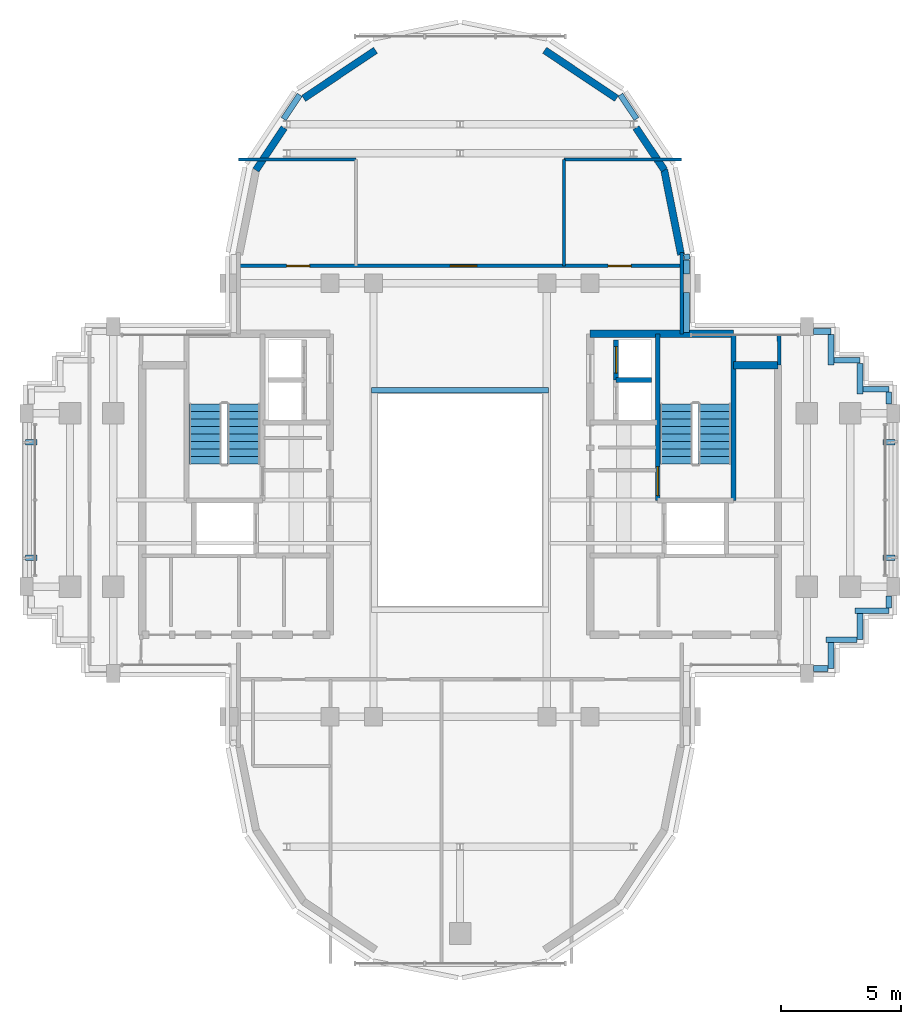
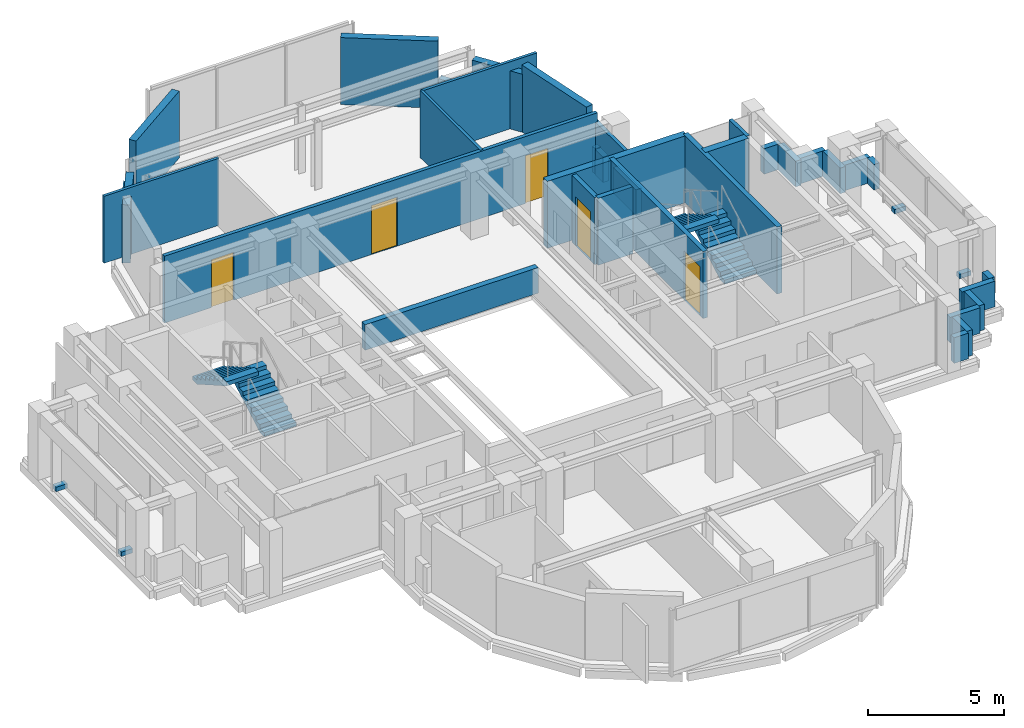
# One storey, part 10 of 12: 35 walls, 5 doors, 4 discrete accessories, 4 stair flights, 5 openings, 2 elements without a shape of their own.
"""IFC4 building model written with IfcOpenShell, lengths in metres."""

from ifc_helpers import new_model, si_unit, direction, frame, frame_2d, origin, origin_2d, place, context, subcontext, project, spatial, polyline, rectangle, outline, extrude, source, transform, mapped, material, layer, layer_set, type_object, element, fill, aggregate, save


model = new_model("IFC4")

# Units and contexts
model_context = context("Model", 3, precision=1e-05, world=origin(), true_north=direction((0.0, 1.0)))
body_context = subcontext(model_context, "Body", "Model", "MODEL_VIEW")
ifc_project = project(units=[si_unit("LENGTHUNIT", "METRE"), si_unit("AREAUNIT", "SQUARE_METRE"), si_unit("VOLUMEUNIT", "CUBIC_METRE"), si_unit("PLANEANGLEUNIT", "RADIAN"), si_unit("MASSUNIT", "GRAM", prefix="KILO")], contexts=[model_context])

# Site, building, storey
site_placement = place(None, origin())
site = spatial("IfcSite", under=ifc_project, at=site_placement, CompositionType="ELEMENT")
building_placement = place(site_placement, origin())
building = spatial("IfcBuilding", under=site, at=building_placement, Name="Keilestroom Media Tower", CompositionType="ELEMENT")
storey_placement = place(building_placement, frame((0.0, 0.0, 226.800048828125)))
storey = spatial("IfcBuildingStorey", under=building, at=storey_placement, Name="L62", CompositionType="ELEMENT", Elevation=226.800048828125)

# Walls
ifc_material_1 = material(Name="Precast concrete C40/50", Category="concrete")
ifc_layer_1 = layer(ifc_material_1, 0.300048828125)
ifc_layer_set_1 = layer_set([ifc_layer_1], Name="Precast concrete C40/50")
wall_type_1 = type_object("IfcWallType", Name="Exterior-Masonry-Spandrel-Wall-300", PredefinedType="SOLIDWALL", material=ifc_layer_set_1)
wall_1_placement = place(storey_placement, frame((9.1748046875, 10.185302734375, 0.0), z_axis=(0.0, 0.0, 1.0), x_axis=(-0.195114232679, 0.980780523974, 0.0)))
element("IfcWall", 1, at=wall_1_placement, inside=storey, type_object=wall_type_1, Name="L62 Lobe Facet Precast Frame Wall 01", PredefinedType="SOLIDWALL", context=body_context, shape_type="SweptSolid", body=[
    extrude(rectangle(XDim=3.608642578125, YDim=0.300048828125, at=frame_2d((1.80419921875, 0.0))), origin(), (0.0, 0.0, 1.0), 3.010009765625),
])
wall_2_placement = place(storey_placement, frame((8.48193359375, 13.697509765625, 0.0), z_axis=(0.0, 0.0, 1.0), x_axis=(-0.555604299396, 0.831446848868, 0.0)))
element("IfcWall", 2, at=wall_2_placement, inside=storey, type_object=wall_type_1, Name="L62 Lobe Facet Precast Frame Wall 02", PredefinedType="SOLIDWALL", context=body_context, shape_type="SweptSolid", body=[
    extrude(rectangle(XDim=2.117919921875, YDim=0.300048828125, at=frame_2d((1.05908203125, 0.0))), origin(), (0.0, 0.0, 1.0), 2.60986328125),
])
for number, where, z_axis, x_axis, name in (
    (3, (6.497802734375, 16.677001953125, 0.0), (0.0, 0.0, 1.0), (-0.831443568068, 0.555609208993, 0.0), "L62 Lobe Facet Precast Frame Wall 03"),
    (4, (-3.510009765625, 18.673583984375, 0.0), (0.0, 0.0, 1.0), (-0.831443568068, -0.555609208993, 0.0), "L62 Lobe Facet Precast Frame Wall 04"),
):
    element("IfcWall", number, at=place(storey_placement, frame(where, z_axis=z_axis, x_axis=x_axis)), inside=storey, type_object=wall_type_1, Name=name, PredefinedType="SOLIDWALL", context=body_context, shape_type="SweptSolid", body=[
        extrude(rectangle(XDim=3.593505859375, YDim=0.300048828125, at=frame_2d((1.796875, 0.0))), origin(), (0.0, 0.0, 1.0), 3.010009765625),
    ])
wall_3_placement = place(storey_placement, frame((-7.30517578125, 15.45849609375, 0.0), z_axis=(0.0, 0.0, 1.0), x_axis=(-0.555604299396, -0.831446848868, 0.0)))
element("IfcWall", 5, at=wall_3_placement, inside=storey, type_object=wall_type_1, Name="L62 Lobe Facet Precast Frame Wall 05", PredefinedType="SOLIDWALL", context=body_context, shape_type="SweptSolid", body=[
    extrude(rectangle(XDim=2.117919921875, YDim=0.300048828125, at=frame_2d((1.05908203125, 0.0))), origin(), (0.0, 0.0, 1.0), 2.60986328125),
])
ifc_material_2 = material(Name="Gypsum Plasterboard & Steel Stud", Category="steel")
ifc_layer_2 = layer(ifc_material_2, 0.1201171875)
ifc_layer_set_2 = layer_set([ifc_layer_2], Name="Gypsum Plasterboard & Steel Stud")
wall_type_2 = type_object("IfcWallType", Name="Interior-Partition-Wall-120", PredefinedType="PARTITIONING", material=ifc_layer_set_2)
for number, where, z_axis, x_axis, name in (
    (6, (-9.199951171875, 14.139892578125, 0.0), (0.0, 0.0, 1.0), (1.0, 0.0, 0.0), "L62 Interior Wall WP-L62-NL-HW"),
    (7, (4.320068359375, 14.139892578125, 0.0), (0.0, 0.0, 1.0), (1.0, 0.0, 0.0), "L62 Interior Wall WP-L62-NL-HE"),
):
    element("IfcWall", number, at=place(storey_placement, frame(where, z_axis=z_axis, x_axis=x_axis)), inside=storey, type_object=wall_type_2, Name=name, PredefinedType="PARTITIONING", context=body_context, shape_type="SweptSolid", body=[
        extrude(rectangle(XDim=4.8798828125, YDim=0.1201171875, at=frame_2d((2.43994140625, 0.0))), origin(), (0.0, 0.0, 1.0), 3.010009765625),
    ])
wall_4_placement = place(storey_placement, frame((4.320068359375, 9.719970703125, 0.0), z_axis=(0.0, 0.0, 1.0), x_axis=(0.0, 1.0, 0.0)))
element("IfcWall", 8, at=wall_4_placement, inside=storey, type_object=wall_type_2, Name="L62 Interior Wall WP-L62-NL-VE2", PredefinedType="PARTITIONING", context=body_context, shape_type="SweptSolid", body=[
    extrude(rectangle(XDim=4.419921875, YDim=0.1201171875, at=frame_2d((2.2099609375, 0.0))), origin(), (0.0, 0.0, 1.0), 3.010009765625),
])

# Wall, openings, doors
ifc_layer_3 = layer(ifc_material_2, 0.14990234375)
ifc_layer_set_3 = layer_set([ifc_layer_3], Name="Gypsum Plasterboard & Steel Stud")
wall_type_3 = type_object("IfcWallType", Name="Interior-Partition-Wall-150", PredefinedType="PARTITIONING", material=ifc_layer_set_3)
wall_5_placement = place(storey_placement, frame((-9.199951171875, 9.719970703125, 0.0), z_axis=(0.0, 0.0, 1.0), x_axis=(1.0, 0.0, 0.0)))
wall_5 = element("IfcWall", 9, at=wall_5_placement, inside=storey, type_object=wall_type_3, Name="L62 Interior Wall WP-L62-NL-BASE", PredefinedType="PARTITIONING", context=body_context, shape_type="SweptSolid", body=[
    extrude(rectangle(XDim=18.39990234375, YDim=0.14990234375, at=frame_2d((9.199951171875, 0.0))), origin(), (0.0, 0.0, 1.0), 3.010009765625),
])
opening_1_placement = place(wall_5_placement, frame((2.0, 0.0, 0.0)))
opening_1 = element("IfcOpeningElement", 10, at=opening_1_placement, cuts=wall_5, Name="Opening DI-03", PredefinedType="OPENING", context=body_context, shape_type="SweptSolid", body=[
    extrude(rectangle(XDim=0.949951171875, YDim=2.14990234375, at=frame_2d((0.47509765625, 1.074951171875))), frame((0.0, 0.0849609375, 0.0), z_axis=(0.0, -1.0, 0.0), x_axis=(1.0, 0.0, 0.0)), (0.0, 0.0, 1.0), 0.169921875),
])
opening_2_placement = place(wall_5_placement, frame((15.35009765625, 0.0, 0.0)))
opening_2 = element("IfcOpeningElement", 11, at=opening_2_placement, cuts=wall_5, Name="Opening DI-03", PredefinedType="OPENING", context=body_context, shape_type="SweptSolid", body=[
    extrude(rectangle(XDim=0.949951171875, YDim=2.14990234375, at=frame_2d((0.47509765625, 1.074951171875))), frame((0.0, 0.0849609375, 0.0), z_axis=(0.0, -1.0, 0.0), x_axis=(1.0, 0.0, 0.0)), (0.0, 0.0, 1.0), 0.169921875),
])
opening_3_placement = place(wall_5_placement, frame((8.800048828125, 0.0, 0.0)))
opening_3 = element("IfcOpeningElement", 12, at=opening_3_placement, cuts=wall_5, Name="Opening DI-04", PredefinedType="OPENING", context=body_context, shape_type="SweptSolid", body=[
    extrude(rectangle(XDim=1.10009765625, YDim=2.199951171875, at=frame_2d((0.550048828125, 1.10009765625))), frame((0.0, 0.0849609375, 0.0), z_axis=(0.0, -1.0, 0.0), x_axis=(1.0, 0.0, 0.0)), (0.0, 0.0, 1.0), 0.169921875),
])
ifc_material_3 = material(Name="Lacquered European Oak Leaf", Category="wood")
door_type_1 = type_object("IfcDoorType", Name="Interior-Room-And-Suite-Door-DI-03", OperationType="NOTDEFINED", PredefinedType="DOOR", material=ifc_material_3)
shared_shape_1 = source(origin(), body_context, "Body", "SweptSolid", [
    extrude(rectangle(XDim=0.949951171875, YDim=2.14990234375, at=frame_2d((0.47509765625, 1.074951171875))), frame((0.0, 0.02490234375, 0.0), z_axis=(0.0, -1.0, 0.0), x_axis=(1.0, 0.0, 0.0)), (0.0, 0.0, 1.0), 0.050048828125),
])
door_1_placement = place(opening_1_placement, origin())
door_1 = element("IfcDoor", 13, at=door_1_placement, inside=storey, type_object=door_type_1, Name="L62 Interior Door DI-L62-DNL-FRW", OperationType="SINGLE_SWING_LEFT", OverallHeight=2.14990234375, OverallWidth=0.949951171875, PredefinedType="DOOR", context=body_context, shape_type="MappedRepresentation", body=[
    mapped(shared_shape_1, transform((0.0, 0.0, 0.0), x_axis=(1.0, 0.0, 0.0), y_axis=(0.0, 1.0, 0.0), z_axis=(0.0, 0.0, 1.0), scale=1.0)),
])
fill(opening_1, door_1)
door_2_placement = place(opening_2_placement, origin())
door_2 = element("IfcDoor", 14, at=door_2_placement, inside=storey, type_object=door_type_1, Name="L62 Interior Door DI-L62-DNL-FRE", OperationType="SINGLE_SWING_RIGHT", OverallHeight=2.14990234375, OverallWidth=0.949951171875, PredefinedType="DOOR", context=body_context, shape_type="MappedRepresentation", body=[
    mapped(shared_shape_1, transform((0.0, 0.0, 0.0), x_axis=(1.0, 0.0, 0.0), y_axis=(0.0, 1.0, 0.0), z_axis=(0.0, 0.0, 1.0), scale=1.0)),
])
fill(opening_2, door_2)
ifc_material_4 = material(Name="Acoustic Glazed Aluminium Leaf", Category="aluminium")
door_type_2 = type_object("IfcDoorType", Name="Interior-Room-And-Suite-Door-DI-04", OperationType="NOTDEFINED", PredefinedType="DOOR", material=ifc_material_4)
shared_shape_2 = source(origin(), body_context, "Body", "SweptSolid", [
    extrude(rectangle(XDim=1.10009765625, YDim=2.199951171875, at=frame_2d((0.550048828125, 1.10009765625))), frame((0.0, 0.02490234375, 0.0), z_axis=(0.0, -1.0, 0.0), x_axis=(1.0, 0.0, 0.0)), (0.0, 0.0, 1.0), 0.050048828125),
])
door_3_placement = place(opening_3_placement, origin())
door_3 = element("IfcDoor", 15, at=door_3_placement, inside=storey, type_object=door_type_2, Name="L62 Interior Door DI-L62-DNL-REAR", OperationType="SINGLE_SWING_LEFT", OverallHeight=2.199951171875, OverallWidth=1.10009765625, PredefinedType="DOOR", context=body_context, shape_type="MappedRepresentation", body=[
    mapped(shared_shape_2, transform((0.0, 0.0, 0.0), x_axis=(1.0, 0.0, 0.0), y_axis=(0.0, 1.0, 0.0), z_axis=(0.0, 0.0, 1.0), scale=1.0)),
])
fill(opening_3, door_3)

# Walls
wall_6_placement = place(storey_placement, frame((9.199951171875, 6.89990234375, 0.0), z_axis=(0.0, 0.0, 1.0), x_axis=(0.0, 1.0, 0.0)))
element("IfcWall", 16, at=wall_6_placement, inside=storey, type_object=wall_type_3, Name="L62 Interior Wall WP-L62-NL-CHKE", PredefinedType="PARTITIONING", context=body_context, shape_type="SweptSolid", body=[
    extrude(rectangle(XDim=3.380126953125, YDim=0.14990234375, at=frame_2d((1.68994140625, 0.0))), origin(), (0.0, 0.0, 1.0), 2.60986328125),
])
wall_7_placement = place(storey_placement, frame((13.260009765625, 5.60009765625, 0.0), z_axis=(0.0, 0.0, 1.0), x_axis=(-0.016013571389, 0.999871774545, 0.0)))
element("IfcWall", 17, at=wall_7_placement, inside=storey, type_object=wall_type_3, Name="L62 Interior Wall WP-L62-EA-ENTN", PredefinedType="PARTITIONING", context=body_context, shape_type="SweptSolid", body=[
    extrude(rectangle(XDim=1.250244140625, YDim=0.14990234375, at=frame_2d((0.625, 0.0))), origin(), (0.0, 0.0, 1.0), 3.010009765625),
])
ifc_material_5 = material(Name="Concrete C50/60", Category="concrete")
ifc_layer_4 = layer(ifc_material_5, 0.300048828125)
ifc_layer_set_4 = layer_set([ifc_layer_4], Name="Concrete C50/60")
wall_type_4 = type_object("IfcWallType", Name="Reinforced-Concrete-Core-Shear-Wall-300", PredefinedType="SHEAR", material=ifc_layer_set_4)
wall_8_placement = place(storey_placement, frame((5.39990234375, 6.89990234375, 0.0), z_axis=(0.0, 0.0, 1.0), x_axis=(1.0, 0.0, 0.0)))
element("IfcWall", 18, at=wall_8_placement, inside=storey, type_object=wall_type_4, Name="L62 Core Shear Wall WL-L62-CORE-E-N", PredefinedType="SHEAR", context=body_context, shape_type="SweptSolid", body=[
    extrude(rectangle(XDim=5.9560546875, YDim=0.300048828125, at=frame_2d((2.97802734375, 0.0))), origin(), (0.0, 0.0, 1.0), 3.010009765625),
])
wall_9_placement = place(storey_placement, frame((11.35595703125, 5.60009765625, 0.0), z_axis=(0.0, 0.0, 1.0), x_axis=(1.0, 0.0, 0.0)))
element("IfcWall", 19, at=wall_9_placement, inside=storey, type_object=wall_type_4, Name="L62 Core Shear Wall WL-L62-CNE-N", PredefinedType="SHEAR", context=body_context, shape_type="SweptSolid", body=[
    extrude(rectangle(XDim=1.843994140625, YDim=0.300048828125, at=frame_2d((0.921875, 0.0))), origin(), (0.0, 0.0, 1.0), 3.010009765625),
])

# Wall, opening, door
ifc_layer_5 = layer(ifc_material_5, 0.199951171875)
ifc_layer_set_5 = layer_set([ifc_layer_5], Name="Concrete C50/60")
wall_type_5 = type_object("IfcWallType", Name="Reinforced-Concrete-Shaft-Wall-200", PredefinedType="SOLIDWALL", material=ifc_layer_set_5)
wall_10_placement = place(storey_placement, frame((8.2041015625, -0.01611328125, 0.0), z_axis=(0.0, 0.0, 1.0), x_axis=(0.0, 1.0, 0.0)))
wall_10 = element("IfcWall", 20, at=wall_10_placement, inside=storey, type_object=wall_type_5, Name="L62 Core Shear Wall WL-L62-STW-E-NEAR", PredefinedType="SOLIDWALL", context=body_context, shape_type="SweptSolid", body=[
    extrude(rectangle(XDim=6.916015625, YDim=0.199951171875, at=frame_2d((3.4580078125, 0.0))), origin(), (0.0, 0.0, 1.0), 3.010009765625),
])
opening_4_placement = place(wall_10_placement, frame((0.199951171875, 0.0, 0.0)))
opening_4 = element("IfcOpeningElement", 21, at=opening_4_placement, cuts=wall_10, Name="Opening DI-01S", PredefinedType="OPENING", context=body_context, shape_type="SweptSolid", body=[
    extrude(rectangle(XDim=1.199951171875, YDim=2.199951171875, at=frame_2d((0.60009765625, 1.10009765625))), frame((0.0, 0.10986328125, 0.0), z_axis=(0.0, -1.0, 0.0), x_axis=(1.0, 0.0, 0.0)), (0.0, 0.0, 1.0), 0.219970703125),
])
ifc_material_6 = material(Name="Powder-Coated Steel Fire Leaf", Category="steel")
door_type_3 = type_object("IfcDoorType", Name="Interior-Stair-And-Core-Fire-Door-DI-01", OperationType="NOTDEFINED", PredefinedType="DOOR", material=ifc_material_6)
shared_shape_3 = source(origin(), body_context, "Body", "SweptSolid", [
    extrude(rectangle(XDim=1.199951171875, YDim=2.199951171875, at=frame_2d((0.60009765625, 1.10009765625))), frame((0.0, 0.02490234375, 0.0), z_axis=(0.0, -1.0, 0.0), x_axis=(1.0, 0.0, 0.0)), (0.0, 0.0, 1.0), 0.050048828125),
])
door_4_placement = place(opening_4_placement, origin())
door_4 = element("IfcDoor", 22, at=door_4_placement, inside=storey, type_object=door_type_3, Name="L62 Escape Stair ST-2 Fire Door", OperationType="SINGLE_SWING_RIGHT", OverallHeight=2.199951171875, OverallWidth=1.199951171875, PredefinedType="DOOR", context=body_context, shape_type="MappedRepresentation", body=[
    mapped(shared_shape_3, transform((0.0, 0.0, 0.0), x_axis=(1.0, 0.0, 0.0), y_axis=(0.0, 1.0, 0.0), z_axis=(0.0, 0.0, 1.0), scale=1.0)),
])
fill(opening_4, door_4)

# Walls
wall_11_placement = place(storey_placement, frame((11.35595703125, -0.01611328125, 0.0), z_axis=(0.0, 0.0, 1.0), x_axis=(0.0, 1.0, 0.0)))
element("IfcWall", 23, at=wall_11_placement, inside=storey, type_object=wall_type_5, Name="L62 Core Shear Wall WL-L62-STW-E-FAR", PredefinedType="SOLIDWALL", context=body_context, shape_type="SweptSolid", body=[
    extrude(rectangle(XDim=6.916015625, YDim=0.199951171875, at=frame_2d((3.4580078125, 0.0))), origin(), (0.0, 0.0, 1.0), 3.010009765625),
])
wall_12_placement = place(storey_placement, frame((6.47998046875, 4.97998046875, 0.0), z_axis=(0.0, 0.0, 1.0), x_axis=(1.0, 0.0, 0.0)))
element("IfcWall", 24, at=wall_12_placement, inside=storey, type_object=wall_type_5, Name="L62 Core Shear Wall WL-L62-LSH-PL-H3-N", PredefinedType="SOLIDWALL", context=body_context, shape_type="SweptSolid", body=[
    extrude(rectangle(XDim=1.469970703125, YDim=0.199951171875, at=frame_2d((0.73486328125, 0.0))), origin(), (0.0, 0.0, 1.0), 3.010009765625),
])

# Wall, opening, door
wall_13_placement = place(storey_placement, frame((6.47998046875, 4.97998046875, 0.0), z_axis=(0.0, 0.0, 1.0), x_axis=(0.0, 1.0, 0.0)))
wall_13 = element("IfcWall", 25, at=wall_13_placement, inside=storey, type_object=wall_type_5, Name="L62 Core Shear Wall WL-L62-LSH-PL-H4-W", PredefinedType="SOLIDWALL", context=body_context, shape_type="SweptSolid", body=[
    extrude(rectangle(XDim=1.669921875, YDim=0.199951171875, at=frame_2d((0.8349609375, 0.0))), origin(), (0.0, 0.0, 1.0), 3.010009765625),
])
opening_5_placement = place(wall_13_placement, frame((0.284912109375, 0.0, 0.0)))
opening_5 = element("IfcOpeningElement", 26, at=opening_5_placement, cuts=wall_13, Name="Opening LD-01", PredefinedType="OPENING", context=body_context, shape_type="SweptSolid", body=[
    extrude(rectangle(XDim=1.10009765625, YDim=2.199951171875, at=frame_2d((0.550048828125, 1.10009765625))), frame((0.0, 0.10986328125, 0.0), z_axis=(0.0, -1.0, 0.0), x_axis=(1.0, 0.0, 0.0)), (0.0, 0.0, 1.0), 0.219970703125),
])
ifc_material_7 = material(Name="Brushed Stainless Steel Sliding Leaf", Category="steel")
door_type_4 = type_object("IfcDoorType", Name="Lift-Landing-Sliding-Door-LD-01", OperationType="SLIDING_TO_LEFT", PredefinedType="DOOR", material=ifc_material_7)
door_5_placement = place(opening_5_placement, origin())
door_5 = element("IfcDoor", 27, at=door_5_placement, inside=storey, type_object=door_type_4, Name="L62 Lift PL-H4 Landing Sliding Door", OperationType="SLIDING_TO_LEFT", OverallHeight=2.199951171875, OverallWidth=1.10009765625, PredefinedType="DOOR", context=body_context, shape_type="MappedRepresentation", body=[
    mapped(shared_shape_2, transform((0.0, 0.0, 0.0), x_axis=(1.0, 0.0, 0.0), y_axis=(0.0, 1.0, 0.0), z_axis=(0.0, 0.0, 1.0), scale=1.0)),
])
fill(opening_5, door_5)

# Walls
ifc_layer_6 = layer(ifc_material_1, 0.239990234375)
ifc_layer_set_6 = layer_set([ifc_layer_6], Name="Precast concrete C40/50")
wall_type_6 = type_object("IfcWallType", Name="Roof-And-Terrace-Parapet-Wall-240", PredefinedType="PARAPET", material=ifc_layer_set_6)
wall_14_placement = place(storey_placement, frame((17.800048828125, -4.60009765625, 0.0), z_axis=(0.0, 0.0, 1.0), x_axis=(-1.0, 0.0, 0.0)))
element("IfcWall", 28, at=wall_14_placement, inside=storey, type_object=wall_type_6, Name="L62 Perimeter Edge Parapet Wall 01", PredefinedType="PARAPET", context=body_context, shape_type="SweptSolid", body=[
    extrude(rectangle(XDim=1.400146484375, YDim=0.239990234375, at=frame_2d((0.7001953125, 0.0))), origin(), (0.0, 0.0, 1.0), 1.14990234375),
])
wall_15_placement = place(storey_placement, frame((16.60009765625, -4.722900390625, 0.0), z_axis=(0.0, 0.0, 1.0), x_axis=(0.0, -1.0, 0.0)))
element("IfcWall", 29, at=wall_15_placement, inside=storey, type_object=wall_type_6, Name="L62 Perimeter Edge Parapet Wall 02", PredefinedType="PARAPET", context=body_context, shape_type="SweptSolid", body=[
    extrude(rectangle(XDim=1.0771484375, YDim=0.239990234375, at=frame_2d((0.53857421875, 0.0))), origin(), (0.0, 0.0, 1.0), 1.14990234375),
])
wall_16_placement = place(storey_placement, frame((16.47705078125, -5.800048828125, 0.0), z_axis=(0.0, 0.0, 1.0), x_axis=(-1.0, 0.0, 0.0)))
element("IfcWall", 30, at=wall_16_placement, inside=storey, type_object=wall_type_6, Name="L62 Perimeter Edge Parapet Wall 03", PredefinedType="PARAPET", context=body_context, shape_type="SweptSolid", body=[
    extrude(rectangle(XDim=1.277099609375, YDim=0.239990234375, at=frame_2d((0.638671875, 0.0))), origin(), (0.0, 0.0, 1.0), 1.14990234375),
])
wall_17_placement = place(storey_placement, frame((15.39990234375, -5.923095703125, 0.0), z_axis=(0.0, 0.0, 1.0), x_axis=(0.0, -1.0, 0.0)))
element("IfcWall", 31, at=wall_17_placement, inside=storey, type_object=wall_type_6, Name="L62 Perimeter Edge Parapet Wall 04", PredefinedType="PARAPET", context=body_context, shape_type="SweptSolid", body=[
    extrude(rectangle(XDim=1.076904296875, YDim=0.239990234375, at=frame_2d((0.53857421875, 0.0))), origin(), (0.0, 0.0, 1.0), 1.14990234375),
])
wall_18_placement = place(storey_placement, frame((15.277099609375, -7.0, 0.0), z_axis=(0.0, 0.0, 1.0), x_axis=(-1.0, 0.0, 0.0)))
element("IfcWall", 32, at=wall_18_placement, inside=storey, type_object=wall_type_6, Name="L62 Perimeter Edge Parapet Wall 05", PredefinedType="PARAPET", context=body_context, shape_type="SweptSolid", body=[
    extrude(rectangle(XDim=0.59912109375, YDim=0.239990234375, at=frame_2d((0.299560546875, 0.0))), origin(), (0.0, 0.0, 1.0), 1.14990234375),
])
for number, where, z_axis, x_axis, name in (
    (33, (-7.328125, 15.8203125, 0.0), (0.0, 0.0, 1.0), (0.555585388542, 0.831459485506, 0.0), "L62 Perimeter Edge Parapet Wall 27"),
    (34, (6.656494140625, 16.825439453125, 0.0), (0.0, 0.0, 1.0), (0.555585388542, -0.831459485506, 0.0), "L62 Perimeter Edge Parapet Wall 28"),
):
    element("IfcWall", number, at=place(storey_placement, frame(where, z_axis=z_axis, x_axis=x_axis)), inside=storey, type_object=wall_type_6, Name=name, PredefinedType="PARAPET", context=body_context, shape_type="SweptSolid", body=[
        extrude(rectangle(XDim=1.208984375, YDim=0.239990234375, at=frame_2d((0.6044921875, 0.0))), origin(), (0.0, 0.0, 1.0), 1.14990234375),
    ])
wall_19_placement = place(storey_placement, frame((9.395263671875, 10.2041015625, 0.0), z_axis=(0.0, 0.0, 1.0), x_axis=(0.194859894132, -0.980831087221, 0.0)))
element("IfcWall", 35, at=wall_19_placement, inside=storey, type_object=wall_type_6, Name="L62 Perimeter Edge Parapet Wall 29", PredefinedType="PARAPET", context=body_context, shape_type="SweptSolid", body=[
    extrude(rectangle(XDim=0.224365234375, YDim=0.239990234375, at=frame_2d((0.1123046875, 0.0))), origin(), (0.0, 0.0, 1.0), 1.14990234375),
])
wall_20_placement = place(storey_placement, frame((9.39990234375, 9.957763671875, 0.0), z_axis=(0.0, 0.0, 1.0), x_axis=(0.0, -1.0, 0.0)))
element("IfcWall", 36, at=wall_20_placement, inside=storey, type_object=wall_type_6, Name="L62 Perimeter Edge Parapet Wall 30", PredefinedType="PARAPET", context=body_context, shape_type="SweptSolid", body=[
    extrude(rectangle(XDim=0.579833984375, YDim=0.239990234375, at=frame_2d((0.2900390625, 0.0))), origin(), (0.0, 0.0, 1.0), 1.14990234375),
])
wall_21_placement = place(storey_placement, frame((9.39990234375, 8.6220703125, 0.0), z_axis=(0.0, 0.0, 1.0), x_axis=(0.0, -1.0, 0.0)))
element("IfcWall", 37, at=wall_21_placement, inside=storey, type_object=wall_type_6, Name="L62 Perimeter Edge Parapet Wall 31", PredefinedType="PARAPET", context=body_context, shape_type="SweptSolid", body=[
    extrude(rectangle(XDim=1.669189453125, YDim=0.239990234375, at=frame_2d((0.83447265625, 0.0))), origin(), (0.0, 0.0, 1.0), 1.14990234375),
])
wall_22_placement = place(storey_placement, frame((14.677978515625, 7.0, 0.0), z_axis=(0.0, 0.0, 1.0), x_axis=(1.0, 0.0, 0.0)))
element("IfcWall", 38, at=wall_22_placement, inside=storey, type_object=wall_type_6, Name="L62 Perimeter Edge Parapet Wall 32", PredefinedType="PARAPET", context=body_context, shape_type="SweptSolid", body=[
    extrude(rectangle(XDim=0.721923828125, YDim=0.239990234375, at=frame_2d((0.36083984375, 0.0))), origin(), (0.0, 0.0, 1.0), 1.14990234375),
])
wall_23_placement = place(storey_placement, frame((15.39990234375, 6.876953125, 0.0), z_axis=(0.0, 0.0, 1.0), x_axis=(0.0, -1.0, 0.0)))
element("IfcWall", 39, at=wall_23_placement, inside=storey, type_object=wall_type_6, Name="L62 Perimeter Edge Parapet Wall 33", PredefinedType="PARAPET", context=body_context, shape_type="SweptSolid", body=[
    extrude(rectangle(XDim=1.27685546875, YDim=0.239990234375, at=frame_2d((0.638427734375, 0.0))), origin(), (0.0, 0.0, 1.0), 1.14990234375),
])
wall_24_placement = place(storey_placement, frame((15.52294921875, 5.800048828125, 0.0), z_axis=(0.0, 0.0, 1.0), x_axis=(1.0, 0.0, 0.0)))
element("IfcWall", 40, at=wall_24_placement, inside=storey, type_object=wall_type_6, Name="L62 Perimeter Edge Parapet Wall 34", PredefinedType="PARAPET", context=body_context, shape_type="SweptSolid", body=[
    extrude(rectangle(XDim=1.0771484375, YDim=0.239990234375, at=frame_2d((0.53857421875, 0.0))), origin(), (0.0, 0.0, 1.0), 1.14990234375),
])
wall_25_placement = place(storey_placement, frame((16.60009765625, 5.677001953125, 0.0), z_axis=(0.0, 0.0, 1.0), x_axis=(0.0, -1.0, 0.0)))
element("IfcWall", 41, at=wall_25_placement, inside=storey, type_object=wall_type_6, Name="L62 Perimeter Edge Parapet Wall 35", PredefinedType="PARAPET", context=body_context, shape_type="SweptSolid", body=[
    extrude(rectangle(XDim=1.277099609375, YDim=0.239990234375, at=frame_2d((0.638671875, 0.0))), origin(), (0.0, 0.0, 1.0), 1.14990234375),
])
wall_26_placement = place(storey_placement, frame((16.722900390625, 4.60009765625, 0.0), z_axis=(0.0, 0.0, 1.0), x_axis=(1.0, 0.0, 0.0)))
element("IfcWall", 42, at=wall_26_placement, inside=storey, type_object=wall_type_6, Name="L62 Perimeter Edge Parapet Wall 36", PredefinedType="PARAPET", context=body_context, shape_type="SweptSolid", body=[
    extrude(rectangle(XDim=1.0771484375, YDim=0.239990234375, at=frame_2d((0.53857421875, 0.0))), origin(), (0.0, 0.0, 1.0), 1.14990234375),
])
for number, where, z_axis, x_axis, name in (
    (43, (17.800048828125, 4.47705078125, 0.0), (0.0, 0.0, 1.0), (0.0, -1.0, 0.0), "L62 Perimeter Edge Parapet Wall 37"),
    (44, (17.800048828125, -3.97802734375, 0.0), (0.0, 0.0, 1.0), (0.0, -1.0, 0.0), "L62 Perimeter Edge Parapet Wall 38"),
):
    element("IfcWall", number, at=place(storey_placement, frame(where, z_axis=z_axis, x_axis=x_axis)), inside=storey, type_object=wall_type_6, Name=name, PredefinedType="PARAPET", context=body_context, shape_type="SweptSolid", body=[
        extrude(rectangle(XDim=0.4990234375, YDim=0.239990234375, at=frame_2d((0.24951171875, 0.0))), origin(), (0.0, 0.0, 1.0), 1.14990234375),
    ])
wall_27_placement = place(storey_placement, frame((-3.679931640625, 4.56005859375, 0.0), z_axis=(0.0, 0.0, 1.0), x_axis=(1.0, 0.0, 0.0)))
element("IfcWall", 45, at=wall_27_placement, inside=storey, type_object=wall_type_6, Name="L62 Central Atrium Guard Parapet N", PredefinedType="PARAPET", context=body_context, shape_type="SweptSolid", body=[
    extrude(rectangle(XDim=7.35986328125, YDim=0.239990234375, at=frame_2d((3.679931640625, 0.0))), origin(), (0.0, 0.0, 1.0), 1.14990234375),
])

# Stair, stair flights
ifc_material_8 = material(Name="Concrete C45/55", Category="concrete")
stair_type = type_object("IfcStairType", Name="Enclosed-Dog-Leg-Stair-ST-CORE", PredefinedType="HALF_TURN_STAIR", material=ifc_material_8)
stair_1_placement = place(storey_placement, origin())
stair_1 = element("IfcStair", 46, at=stair_1_placement, inside=storey, type_object=stair_type, Name="L62 West Core Escape Stair ST-1", PredefinedType="HALF_TURN_STAIR")
stair_flight_type = type_object("IfcStairFlightType", Name="Precast-Concrete-Stair-Flight-Core-160", PredefinedType="STRAIGHT", material=ifc_material_1)
stair_flight_1_placement = place(storey_placement, frame((-8.97998046875, 1.5, 0.0), z_axis=(0.0, 0.0, 1.0), x_axis=(0.0, 1.0, 0.0)))
stair_flight_1 = element("IfcStairFlight", 47, at=stair_flight_1_placement, type_object=stair_flight_type, Name="ST-1 flight 1", NumberOfRisers=9, NumberOfTreads=8, PredefinedType="STRAIGHT", RiserHeight=0.177777778, TreadLength=0.312, context=body_context, shape_type="SweptSolid", body=[
    extrude(outline(polyline([(0.0, 0.0), (0.0, 0.177734375), (0.31201171875, 0.177734375), (0.31201171875, 0.35546875), (0.6240234375, 0.35546875), (0.6240234375, 0.533447265625), (0.93603515625, 0.533447265625), (0.93603515625, 0.711181640625), (1.248046875, 0.711181640625), (1.248046875, 0.888916015625), (1.56005859375, 0.888916015625), (1.56005859375, 1.066650390625), (1.8720703125, 1.066650390625), (1.8720703125, 1.244384765625), (2.18408203125, 1.244384765625), (2.18408203125, 1.422119140625), (2.49609375, 1.422119140625), (2.49609375, 1.60009765625), (2.49609375, 1.23828125), (0.322998046875, 0.0), (0.0, 0.0)])), frame((0.0, 0.68017578125, 0.0), z_axis=(0.0, -1.0, 0.0), x_axis=(1.0, 0.0, 0.0)), (0.0, 0.0, 1.0), 1.360107421875),
])
stair_flight_2_placement = place(storey_placement, frame((-10.580078125, 3.99609375, 1.599853515625), z_axis=(0.0, 0.0, 1.0), x_axis=(0.0, -1.0, 0.0)))
stair_flight_2 = element("IfcStairFlight", 48, at=stair_flight_2_placement, type_object=stair_flight_type, Name="ST-1 flight 2", NumberOfRisers=9, NumberOfTreads=8, PredefinedType="STRAIGHT", RiserHeight=0.177777778, TreadLength=0.312, context=body_context, shape_type="SweptSolid", body=[
    extrude(outline(polyline([(0.0, 0.0), (0.0, 0.177734375), (0.31201171875, 0.177734375), (0.31201171875, 0.35546875), (0.6240234375, 0.35546875), (0.6240234375, 0.533447265625), (0.93603515625, 0.533447265625), (0.93603515625, 0.711181640625), (1.248046875, 0.711181640625), (1.248046875, 0.888916015625), (1.56005859375, 0.888916015625), (1.56005859375, 1.066650390625), (1.8720703125, 1.066650390625), (1.8720703125, 1.244384765625), (2.18408203125, 1.244384765625), (2.18408203125, 1.422119140625), (2.49609375, 1.422119140625), (2.49609375, 1.60009765625), (2.49609375, 1.23828125), (0.322998046875, 0.0), (0.0, 0.0)])), frame((0.0, 0.68017578125, 0.0), z_axis=(0.0, -1.0, 0.0), x_axis=(1.0, 0.0, 0.0)), (0.0, 0.0, 1.0), 1.360107421875),
])
aggregate(stair_1, [stair_flight_1, stair_flight_2])

stair_2_placement = place(storey_placement, origin())
stair_2 = element("IfcStair", 49, at=stair_2_placement, inside=storey, type_object=stair_type, Name="L62 East Core Escape Stair ST-2", PredefinedType="HALF_TURN_STAIR")
stair_flight_3_placement = place(storey_placement, frame((10.580078125, 1.5, 0.0), z_axis=(0.0, 0.0, 1.0), x_axis=(0.0, 1.0, 0.0)))
stair_flight_3 = element("IfcStairFlight", 50, at=stair_flight_3_placement, type_object=stair_flight_type, Name="ST-2 flight 1", NumberOfRisers=9, NumberOfTreads=8, PredefinedType="STRAIGHT", RiserHeight=0.177777778, TreadLength=0.312, context=body_context, shape_type="SweptSolid", body=[
    extrude(outline(polyline([(0.0, 0.0), (0.0, 0.177734375), (0.31201171875, 0.177734375), (0.31201171875, 0.35546875), (0.6240234375, 0.35546875), (0.6240234375, 0.533447265625), (0.93603515625, 0.533447265625), (0.93603515625, 0.711181640625), (1.248046875, 0.711181640625), (1.248046875, 0.888916015625), (1.56005859375, 0.888916015625), (1.56005859375, 1.066650390625), (1.8720703125, 1.066650390625), (1.8720703125, 1.244384765625), (2.18408203125, 1.244384765625), (2.18408203125, 1.422119140625), (2.49609375, 1.422119140625), (2.49609375, 1.60009765625), (2.49609375, 1.23828125), (0.322998046875, 0.0), (0.0, 0.0)])), frame((0.0, 0.68017578125, 0.0), z_axis=(0.0, -1.0, 0.0), x_axis=(1.0, 0.0, 0.0)), (0.0, 0.0, 1.0), 1.360107421875),
])
stair_flight_4_placement = place(storey_placement, frame((8.97998046875, 3.99609375, 1.599853515625), z_axis=(0.0, 0.0, 1.0), x_axis=(0.0, -1.0, 0.0)))
stair_flight_4 = element("IfcStairFlight", 51, at=stair_flight_4_placement, type_object=stair_flight_type, Name="ST-2 flight 2", NumberOfRisers=9, NumberOfTreads=8, PredefinedType="STRAIGHT", RiserHeight=0.177777778, TreadLength=0.312, context=body_context, shape_type="SweptSolid", body=[
    extrude(outline(polyline([(0.0, 0.0), (0.0, 0.177734375), (0.31201171875, 0.177734375), (0.31201171875, 0.35546875), (0.6240234375, 0.35546875), (0.6240234375, 0.533447265625), (0.93603515625, 0.533447265625), (0.93603515625, 0.711181640625), (1.248046875, 0.711181640625), (1.248046875, 0.888916015625), (1.56005859375, 0.888916015625), (1.56005859375, 1.066650390625), (1.8720703125, 1.066650390625), (1.8720703125, 1.244384765625), (2.18408203125, 1.244384765625), (2.18408203125, 1.422119140625), (2.49609375, 1.422119140625), (2.49609375, 1.60009765625), (2.49609375, 1.23828125), (0.322998046875, 0.0), (0.0, 0.0)])), frame((0.0, 0.68017578125, 0.0), z_axis=(0.0, -1.0, 0.0), x_axis=(1.0, 0.0, 0.0)), (0.0, 0.0, 1.0), 1.360107421875),
])
aggregate(stair_2, [stair_flight_3, stair_flight_4])

# Discrete accessories
ifc_material_9 = material(Name="Stainless Steel 1.4401", Category="steel")
discrete_accessory_type = type_object("IfcDiscreteAccessoryType", Name="Facade-Fin-Fixing-Bracket-BRK-1", PredefinedType="BRACKET", material=ifc_material_9)
shared_shape_4 = source(origin(), body_context, "Body", "SweptSolid", [
    extrude(rectangle(XDim=0.47998046875, YDim=0.239990234375, at=origin_2d()), origin(), (0.0, 0.0, 1.0), 0.199951171875),
])
for number, where, z_axis, x_axis, name in (
    (52, (-17.81005859375, -2.39990234375, -0.01025390625), (0.0, 0.0, 1.0), (1.0, 0.0, 0.0), "L62 Sunshade Fin Bracket BRK-1 093"),
    (53, (-17.81005859375, 2.39990234375, -0.01025390625), (0.0, 0.0, 1.0), (1.0, 0.0, 0.0), "L62 Sunshade Fin Bracket BRK-1 094"),
    (54, (17.81005859375, -2.39990234375, -0.01025390625), (0.0, 0.0, 1.0), (1.0, 0.0, 0.0), "L62 Sunshade Fin Bracket BRK-1 095"),
    (55, (17.81005859375, 2.39990234375, -0.01025390625), (0.0, 0.0, 1.0), (1.0, 0.0, 0.0), "L62 Sunshade Fin Bracket BRK-1 096"),
):
    element("IfcDiscreteAccessory", number, at=place(storey_placement, frame(where, z_axis=z_axis, x_axis=x_axis)), inside=storey, type_object=discrete_accessory_type, Name=name, PredefinedType="BRACKET", context=body_context, shape_type="MappedRepresentation", body=[
        mapped(shared_shape_4, transform((0.0, 0.0, 0.0), x_axis=(1.0, 0.0, 0.0), y_axis=(0.0, 1.0, 0.0), z_axis=(0.0, 0.0, 1.0), scale=1.0)),
    ])

save(model, "model.ifc")
